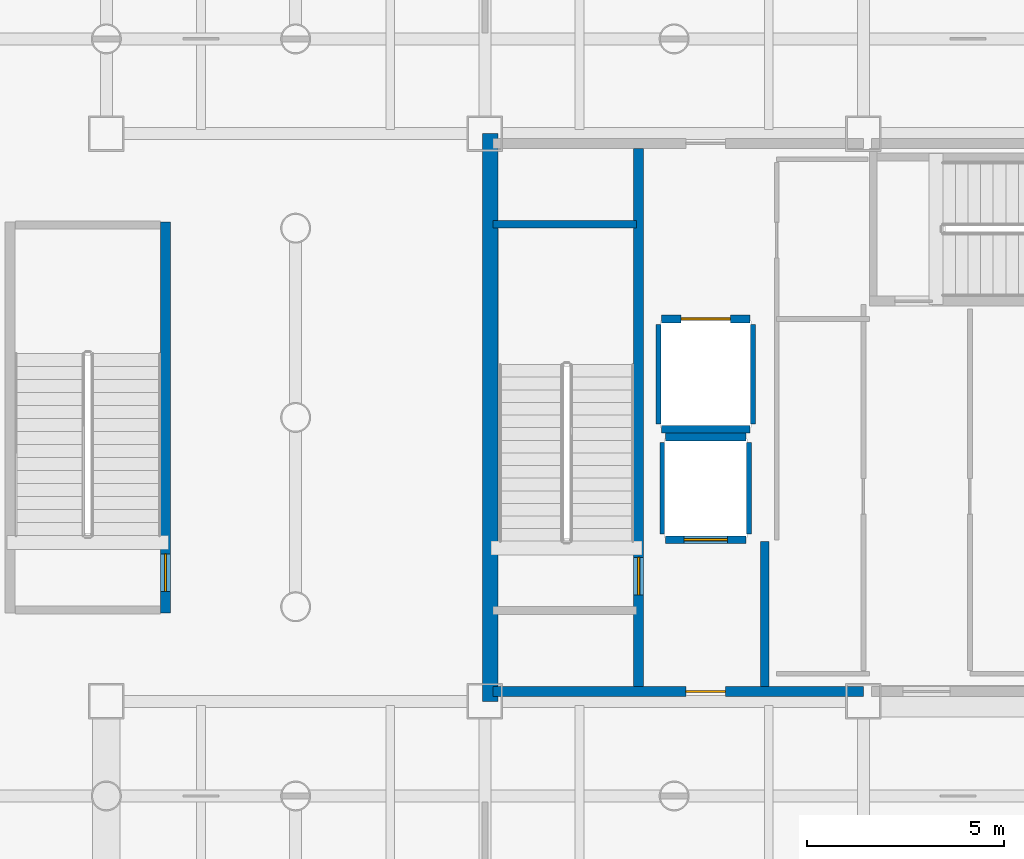
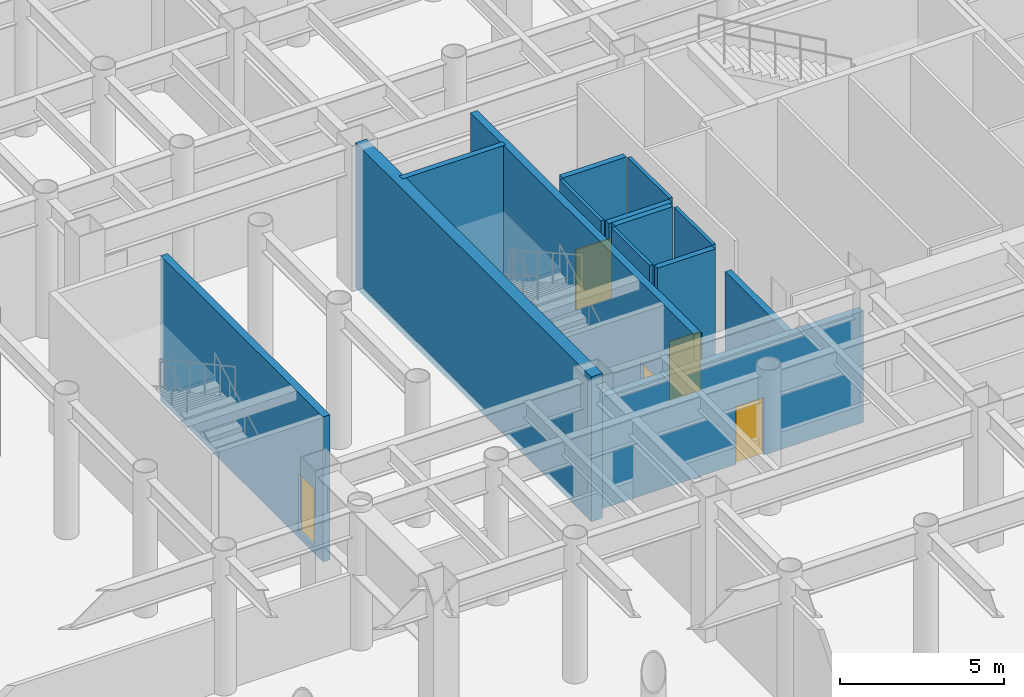
# One storey, part 8 of 16: 14 walls, 5 doors, 5 openings.
"""IFC4 building model written with IfcOpenShell, lengths in metres."""

from ifc_helpers import new_model, si_unit, direction, frame, frame_2d, origin, place, context, subcontext, project, spatial, rectangle, extrude, material, layer, layer_set, type_object, element, fill, save


model = new_model("IFC4")

# Units and contexts
model_context = context("Model", 3, precision=1e-05, world=origin(), true_north=direction((0.0, 1.0)))
body_context = subcontext(model_context, "Body", "Model", "MODEL_VIEW")
ifc_project = project(units=[si_unit("LENGTHUNIT", "METRE"), si_unit("AREAUNIT", "SQUARE_METRE"), si_unit("VOLUMEUNIT", "CUBIC_METRE"), si_unit("PLANEANGLEUNIT", "RADIAN"), si_unit("MASSUNIT", "GRAM", prefix="KILO")], contexts=[model_context])

# Site, building, storey
site_placement = place(None, origin())
site = spatial("IfcSite", under=ifc_project, at=site_placement, CompositionType="ELEMENT")
building_placement = place(site_placement, origin())
building = spatial("IfcBuilding", under=site, at=building_placement, Name="Kallvorn Hotel Tower", CompositionType="ELEMENT")
storey_placement = place(building_placement, frame((0.0, 0.0, -5.39990234375)))
storey = spatial("IfcBuildingStorey", under=building, at=storey_placement, Name="B1", CompositionType="ELEMENT", Elevation=-5.39990234375)

# Walls
ifc_material_1 = material(Name="Concrete C50/60", Category="concrete")
ifc_layer_1 = layer(ifc_material_1, 0.39990234375)
ifc_layer_set_1 = layer_set([ifc_layer_1], Name="WL_CORE_400")
wall_type_1 = type_object("IfcWallType", Name="WL_CORE_400", PredefinedType="SHEAR", material=ifc_layer_set_1)
wall_1_placement = place(storey_placement, frame((-14.264892578125, -7.199951171875, -0.25), z_axis=(0.0, 0.0, 1.0), x_axis=(0.0, 1.0, 0.0)))
element("IfcWall", 1, at=wall_1_placement, inside=storey, type_object=wall_type_1, Name="B1 Core West Shear Wall", PredefinedType="SHEAR", context=body_context, shape_type="SweptSolid", body=[
    extrude(rectangle(XDim=14.39990234375, YDim=0.39990234375, at=frame_2d((7.199951171875, 0.0))), origin(), (0.0, 0.0, 1.0), 5.39990234375),
])
ifc_material_2 = material(Name="Concrete C40/50", Category="concrete")
ifc_layer_2 = layer(ifc_material_2, 0.219970703125)
ifc_layer_set_2 = layer_set([ifc_layer_2], Name="WL_FFL_220")
wall_type_2 = type_object("IfcWallType", Name="WL_FFL_220", PredefinedType="SOLIDWALL", material=ifc_layer_set_2)
wall_2_placement = place(storey_placement, frame((-7.300048828125, -6.820068359375, 0.0), z_axis=(0.0, 0.0, 1.0), x_axis=(0.0, 1.0, 0.0)))
element("IfcWall", 2, at=wall_2_placement, inside=storey, type_object=wall_type_2, Name="B1 Firefighting Lobby West Divider Wall", PredefinedType="SOLIDWALL", context=body_context, shape_type="SweptSolid", body=[
    extrude(rectangle(XDim=3.670166015625, YDim=0.219970703125, at=frame_2d((1.8349609375, 0.0))), origin(), (0.0, 0.0, 1.0), 4.14990234375),
])
ifc_material_3 = material(Name="Concrete C40/50", Category="concrete")
ifc_layer_3 = layer(ifc_material_3, 0.199951171875)
ifc_layer_set_3 = layer_set([ifc_layer_3], Name="WL_HOIST_200")
wall_type_3 = type_object("IfcWallType", Name="WL_HOIST_200", PredefinedType="SOLIDWALL", material=ifc_layer_set_3)
wall_3_placement = place(storey_placement, frame((-14.199951171875, 4.89990234375, -0.25), z_axis=(0.0, 0.0, 1.0), x_axis=(1.0, 0.0, 0.0)))
element("IfcWall", 3, at=wall_3_placement, inside=storey, type_object=wall_type_3, Name="B1 Stair ST1 North Wall", PredefinedType="SOLIDWALL", context=body_context, shape_type="SweptSolid", body=[
    extrude(rectangle(XDim=3.64990234375, YDim=0.199951171875, at=frame_2d((1.824951171875, 0.0))), origin(), (0.0, 0.0, 1.0), 5.39990234375),
])

# Wall, opening, door
wall_4_placement = place(storey_placement, frame((-9.820068359375, -3.10009765625, 0.0), z_axis=(0.0, 0.0, 1.0), x_axis=(1.0, 0.0, 0.0)))
wall_4 = element("IfcWall", 4, at=wall_4_placement, inside=storey, type_object=wall_type_3, Name="B1 FL-1 Landing Wall", PredefinedType="SOLIDWALL", context=body_context, shape_type="SweptSolid", body=[
    extrude(rectangle(XDim=2.0400390625, YDim=0.199951171875, at=frame_2d((1.02001953125, 0.0))), origin(), (0.0, 0.0, 1.0), 5.14990234375),
])
opening_1_placement = place(wall_4_placement, frame((0.469970703125, 0.0, 0.0)))
opening_1 = element("IfcOpeningElement", 5, at=opening_1_placement, cuts=wall_4, Name="Opening LD-FL-1", PredefinedType="OPENING", context=body_context, shape_type="SweptSolid", body=[
    extrude(rectangle(XDim=1.10009765625, YDim=2.199951171875, at=frame_2d((0.550048828125, 1.10009765625))), frame((0.0, 0.114990234375, 0.0), z_axis=(0.0, -1.0, 0.0), x_axis=(1.0, 0.0, 0.0)), (0.0, 0.0, 1.0), 0.22998046875),
])
ifc_material_4 = material(Name="Brushed stainless-steel automatic sliding lift landing door", Category="steel")
door_type_1 = type_object("IfcDoorType", Name="LD_PASS_1100x2200", OperationType="SLIDING_TO_LEFT", PredefinedType="DOOR", material=ifc_material_4)
door_1_placement = place(opening_1_placement, origin())
door_1 = element("IfcDoor", 6, at=door_1_placement, inside=storey, type_object=door_type_1, Name="B1 Lift Landing Sliding Door LD-FL-1", OperationType="SLIDING_TO_LEFT", OverallHeight=2.199951171875, OverallWidth=1.10009765625, PredefinedType="DOOR", context=body_context, shape_type="SweptSolid", body=[
    extrude(rectangle(XDim=1.10009765625, YDim=2.199951171875, at=frame_2d((0.550048828125, 1.10009765625))), frame((0.0, 0.02490234375, 0.0), z_axis=(0.0, -1.0, 0.0), x_axis=(1.0, 0.0, 0.0)), (0.0, 0.0, 1.0), 0.050048828125),
])
fill(opening_1, door_1)

# Wall
wall_5_placement = place(storey_placement, frame((-9.820068359375, -0.5, 0.0), z_axis=(0.0, 0.0, 1.0), x_axis=(1.0, 0.0, 0.0)))
element("IfcWall", 7, at=wall_5_placement, inside=storey, type_object=wall_type_3, Name="B1 FL-1 Rear Shaft Wall", PredefinedType="SOLIDWALL", context=body_context, shape_type="SweptSolid", body=[
    extrude(rectangle(XDim=2.0400390625, YDim=0.199951171875, at=frame_2d((1.02001953125, 0.0))), origin(), (0.0, 0.0, 1.0), 5.14990234375),
])

# Wall, opening, door
wall_6_placement = place(storey_placement, frame((-9.919921875, 2.5, 0.0), z_axis=(0.0, 0.0, 1.0), x_axis=(1.0, 0.0, 0.0)))
wall_6 = element("IfcWall", 8, at=wall_6_placement, inside=storey, type_object=wall_type_3, Name="B1 SV-01 Landing Wall", PredefinedType="SOLIDWALL", context=body_context, shape_type="SweptSolid", body=[
    extrude(rectangle(XDim=2.239990234375, YDim=0.199951171875, at=frame_2d((1.1201171875, 0.0))), origin(), (0.0, 0.0, 1.0), 5.14990234375),
])
opening_2_placement = place(wall_6_placement, frame((0.4951171875, 0.0, 0.0)))
opening_2 = element("IfcOpeningElement", 9, at=opening_2_placement, cuts=wall_6, Name="Opening LD-SV-01", PredefinedType="OPENING", context=body_context, shape_type="SweptSolid", body=[
    extrude(rectangle(XDim=1.25, YDim=2.25, at=frame_2d((0.625, 1.125))), frame((0.0, 0.114990234375, 0.0), z_axis=(0.0, -1.0, 0.0), x_axis=(1.0, 0.0, 0.0)), (0.0, 0.0, 1.0), 0.22998046875),
])
ifc_material_5 = material(Name="Brushed stainless-steel automatic sliding lift landing door", Category="steel")
door_type_2 = type_object("IfcDoorType", Name="LD_SERV_1250x2250", OperationType="SLIDING_TO_LEFT", PredefinedType="DOOR", material=ifc_material_5)
door_2_placement = place(opening_2_placement, origin())
door_2 = element("IfcDoor", 10, at=door_2_placement, inside=storey, type_object=door_type_2, Name="B1 Lift Landing Sliding Door LD-SV-01", OperationType="SLIDING_TO_LEFT", OverallHeight=2.25, OverallWidth=1.25, PredefinedType="DOOR", context=body_context, shape_type="SweptSolid", body=[
    extrude(rectangle(XDim=1.25, YDim=2.25, at=frame_2d((0.625, 1.125))), frame((0.0, 0.02490234375, 0.0), z_axis=(0.0, -1.0, 0.0), x_axis=(1.0, 0.0, 0.0)), (0.0, 0.0, 1.0), 0.050048828125),
])
fill(opening_2, door_2)

# Walls
wall_7_placement = place(storey_placement, frame((-9.919921875, -0.300048828125, 0.0), z_axis=(0.0, 0.0, 1.0), x_axis=(1.0, 0.0, 0.0)))
element("IfcWall", 11, at=wall_7_placement, inside=storey, type_object=wall_type_3, Name="B1 SV-01 Rear Shaft Wall", PredefinedType="SOLIDWALL", context=body_context, shape_type="SweptSolid", body=[
    extrude(rectangle(XDim=2.239990234375, YDim=0.199951171875, at=frame_2d((1.1201171875, 0.0))), origin(), (0.0, 0.0, 1.0), 5.14990234375),
])
ifc_material_6 = material(Name="Fire-rated double-layer acoustic gypsum drywall EI 60")
ifc_layer_4 = layer(ifc_material_6, 0.1201171875)
ifc_layer_set_4 = layer_set([ifc_layer_4], Name="WL_INT_120")
wall_type_4 = type_object("IfcWallType", Name="WL_INT_120", PredefinedType="PARTITIONING", material=ifc_layer_set_4)
for number, where, z_axis, x_axis, name in (
    (12, (-9.89990234375, -2.9599609375, 0.0), (0.0, 0.0, 1.0), (0.0, 1.0, 0.0), "B1 FL-1 West Shaft Wall"),
    (13, (-7.699951171875, -2.9599609375, 0.0), (0.0, 0.0, 1.0), (0.0, 1.0, 0.0), "B1 FL-1 East Shaft Wall"),
):
    element("IfcWall", number, at=place(storey_placement, frame(where, z_axis=z_axis, x_axis=x_axis)), inside=storey, type_object=wall_type_4, Name=name, PredefinedType="PARTITIONING", context=body_context, shape_type="SweptSolid", body=[
        extrude(rectangle(XDim=2.320068359375, YDim=0.1201171875, at=frame_2d((1.16015625, 0.0))), origin(), (0.0, 0.0, 1.0), 5.14990234375),
    ])
for number, where, z_axis, x_axis, name in (
    (14, (-10.0, -0.159912109375, 0.0), (0.0, 0.0, 1.0), (0.0, 1.0, 0.0), "B1 SV-01 West Shaft Wall"),
    (15, (-7.60009765625, -0.159912109375, 0.0), (0.0, 0.0, 1.0), (0.0, 1.0, 0.0), "B1 SV-01 East Shaft Wall"),
):
    element("IfcWall", number, at=place(storey_placement, frame(where, z_axis=z_axis, x_axis=x_axis)), inside=storey, type_object=wall_type_4, Name=name, PredefinedType="PARTITIONING", context=body_context, shape_type="SweptSolid", body=[
        extrude(rectangle(XDim=2.52001953125, YDim=0.1201171875, at=frame_2d((1.260009765625, 0.0))), origin(), (0.0, 0.0, 1.0), 5.14990234375),
    ])

# Wall, opening, door
ifc_material_7 = material(Name="Concrete C40/50", Category="concrete")
ifc_layer_5 = layer(ifc_material_7, 0.25)
ifc_layer_set_5 = layer_set([ifc_layer_5], Name="WL_SHAFT_250")
wall_type_5 = type_object("IfcWallType", Name="WL_SHAFT_250", PredefinedType="SOLIDWALL", material=ifc_layer_set_5)
wall_8_placement = place(storey_placement, frame((-14.199951171875, -6.949951171875, 0.0), z_axis=(0.0, 0.0, 1.0), x_axis=(1.0, 0.0, 0.0)))
wall_8 = element("IfcWall", 16, at=wall_8_placement, inside=storey, type_object=wall_type_5, Name="B1 Core South-West Wall", PredefinedType="SOLIDWALL", context=body_context, shape_type="SweptSolid", body=[
    extrude(rectangle(XDim=9.39990234375, YDim=0.25, at=frame_2d((4.699951171875, 0.0))), origin(), (0.0, 0.0, 1.0), 4.14990234375),
])
opening_3_placement = place(wall_8_placement, frame((4.89990234375, 0.0, 0.0)))
opening_3 = element("IfcOpeningElement", 17, at=opening_3_placement, cuts=wall_8, Name="Opening FD1", PredefinedType="OPENING", context=body_context, shape_type="SweptSolid", body=[
    extrude(rectangle(XDim=1.0, YDim=2.14990234375, at=frame_2d((0.5, 1.074951171875))), frame((0.0, 0.139892578125, 0.0), z_axis=(0.0, -1.0, 0.0), x_axis=(1.0, 0.0, 0.0)), (0.0, 0.0, 1.0), 0.280029296875),
])
ifc_material_8 = material(Name="Galvanised painted steel fire-rated door assembly", Category="steel")
door_type_3 = type_object("IfcDoorType", Name="DR_FFL_1000x2150", OperationType="NOTDEFINED", PredefinedType="DOOR", material=ifc_material_8)
door_3_placement = place(opening_3_placement, origin())
door_3 = element("IfcDoor", 18, at=door_3_placement, inside=storey, type_object=door_type_3, Name="B1 Firefighting Lobby West Door", OperationType="SINGLE_SWING_LEFT", OverallHeight=2.14990234375, OverallWidth=1.0, PredefinedType="DOOR", context=body_context, shape_type="SweptSolid", body=[
    extrude(rectangle(XDim=1.0, YDim=2.14990234375, at=frame_2d((0.5, 1.074951171875))), frame((0.0, 0.02490234375, 0.0), z_axis=(0.0, -1.0, 0.0), x_axis=(1.0, 0.0, 0.0)), (0.0, 0.0, 1.0), 0.050048828125),
])
fill(opening_3, door_3)

wall_9_placement = place(storey_placement, frame((-10.5, -6.820068359375, -0.25), z_axis=(0.0, 0.0, 1.0), x_axis=(0.0, 1.0, 0.0)))
wall_9 = element("IfcWall", 19, at=wall_9_placement, inside=storey, type_object=wall_type_5, Name="B1 Stair ST1 Shaft Wall", PredefinedType="SOLIDWALL", context=body_context, shape_type="SweptSolid", body=[
    extrude(rectangle(XDim=13.64013671875, YDim=0.25, at=frame_2d((6.820068359375, 0.0))), origin(), (0.0, 0.0, 1.0), 5.39990234375),
])
opening_4_placement = place(wall_9_placement, frame((2.320068359375, 0.0, 0.25)))
opening_4 = element("IfcOpeningElement", 20, at=opening_4_placement, cuts=wall_9, Name="Opening SD1", PredefinedType="OPENING", context=body_context, shape_type="SweptSolid", body=[
    extrude(rectangle(XDim=0.949951171875, YDim=2.14990234375, at=frame_2d((0.47509765625, 1.074951171875))), frame((0.0, 0.139892578125, 0.0), z_axis=(0.0, -1.0, 0.0), x_axis=(1.0, 0.0, 0.0)), (0.0, 0.0, 1.0), 0.280029296875),
])
ifc_material_9 = material(Name="Galvanised painted steel fire-rated door assembly", Category="steel")
door_type_4 = type_object("IfcDoorType", Name="DR_STAIR_950x2150", OperationType="NOTDEFINED", PredefinedType="DOOR", material=ifc_material_9)
door_4_placement = place(opening_4_placement, origin())
door_4 = element("IfcDoor", 21, at=door_4_placement, inside=storey, type_object=door_type_4, Name="B1 Exit Stair ST1 Fire Door", OperationType="SINGLE_SWING_RIGHT", OverallHeight=2.14990234375, OverallWidth=0.949951171875, PredefinedType="DOOR", context=body_context, shape_type="SweptSolid", body=[
    extrude(rectangle(XDim=0.949951171875, YDim=2.14990234375, at=frame_2d((0.47509765625, 1.074951171875))), frame((0.0, 0.02490234375, 0.0), z_axis=(0.0, -1.0, 0.0), x_axis=(1.0, 0.0, 0.0)), (0.0, 0.0, 1.0), 0.050048828125),
])
fill(opening_4, door_4)

wall_10_placement = place(storey_placement, frame((-22.5, -4.9599609375, -0.25), z_axis=(0.0, 0.0, 1.0), x_axis=(0.0, 1.0, 0.0)))
wall_10 = element("IfcWall", 22, at=wall_10_placement, inside=storey, type_object=wall_type_5, Name="B1 Podium Exit Stair ST4 East Wall", PredefinedType="SOLIDWALL", context=body_context, shape_type="SweptSolid", body=[
    extrude(rectangle(XDim=9.919921875, YDim=0.25, at=frame_2d((4.9599609375, 0.0))), origin(), (0.0, 0.0, 1.0), 5.39990234375),
])
opening_5_placement = place(wall_10_placement, frame((0.550048828125, 0.0, 0.25)))
opening_5 = element("IfcOpeningElement", 23, at=opening_5_placement, cuts=wall_10, Name="Opening SD1", PredefinedType="OPENING", context=body_context, shape_type="SweptSolid", body=[
    extrude(rectangle(XDim=0.949951171875, YDim=2.14990234375, at=frame_2d((0.47509765625, 1.074951171875))), frame((0.0, 0.139892578125, 0.0), z_axis=(0.0, -1.0, 0.0), x_axis=(1.0, 0.0, 0.0)), (0.0, 0.0, 1.0), 0.280029296875),
])
door_5_placement = place(opening_5_placement, origin())
door_5 = element("IfcDoor", 24, at=door_5_placement, inside=storey, type_object=door_type_4, Name="B1 Podium Exit Stair ST4 Fire Door", OperationType="SINGLE_SWING_RIGHT", OverallHeight=2.14990234375, OverallWidth=0.949951171875, PredefinedType="DOOR", context=body_context, shape_type="SweptSolid", body=[
    extrude(rectangle(XDim=0.949951171875, YDim=2.14990234375, at=frame_2d((0.47509765625, 1.074951171875))), frame((0.0, 0.02490234375, 0.0), z_axis=(0.0, -1.0, 0.0), x_axis=(1.0, 0.0, 0.0)), (0.0, 0.0, 1.0), 0.050048828125),
])
fill(opening_5, door_5)

save(model, "model.ifc")
